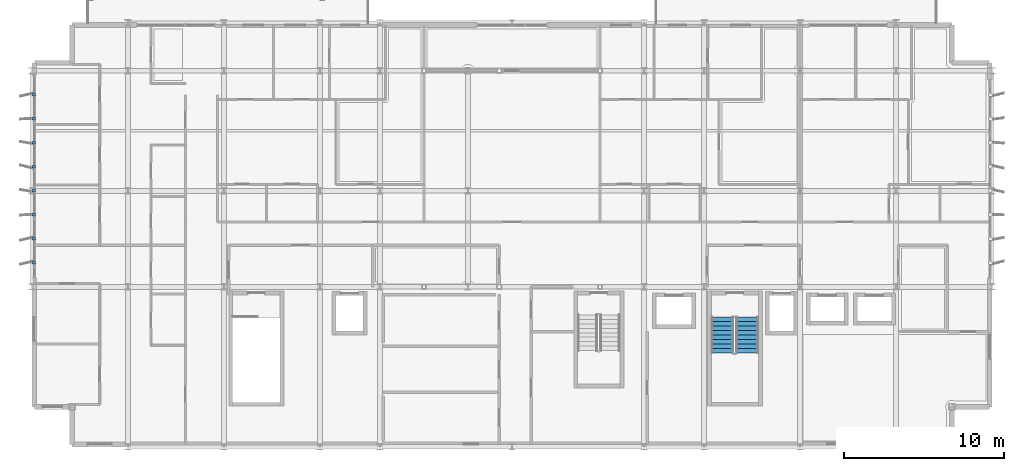
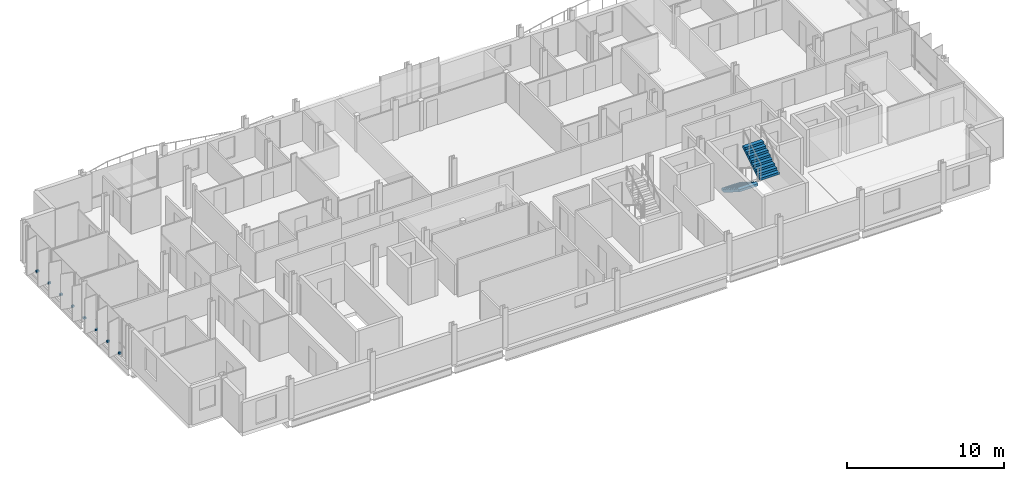
# One storey, part 31 of 35: 8 discrete accessories, 2 stair flights, 1 element without a shape of its own.
"""IFC4 building model written with IfcOpenShell, lengths in metres."""

import ifcopenshell
import ifcopenshell.guid

model = None  # the IFC model being written
_history = None  # IfcOwnerHistory: only IFC2X3 demands one
_inside = {}  # id of a spatial element -> (the spatial element, [elements in it])
_under = {}  # id of a project, library or spatial element -> (it, [spatial elements below it])
_declared = {}  # id of a project -> (the project, [libraries it declares])
_typed = {}  # id of a type object -> (the type object, [elements of that type])
_made_of = {}  # id of a material, layer set ... -> (it, [elements and type objects made of it])


def new_model(schema):
    """Start an empty IFC model of exactly this schema.

    Asked for "IFC4X3", IfcOpenShell would pick the latest addendum, in which some entities
    have other attributes; the version numbers below select the first issue.
    IFC2X3 requires an IfcOwnerHistory on every rooted entity: one is made here for all.
    """
    global model, _history
    if schema == "IFC4X3":
        model = ifcopenshell.file(schema_version=(4, 3, 0, 0))
    else:
        model = ifcopenshell.file(schema=schema)
    _inside.clear()
    _under.clear()
    _declared.clear()
    _typed.clear()
    _made_of.clear()
    _history = None
    if model.schema == "IFC2X3":
        org = make("IfcOrganization", Name="unknown")
        user = make(
            "IfcPersonAndOrganization",
            ThePerson=make("IfcPerson", FamilyName="unknown"),
            TheOrganization=org,
        )
        app = make(
            "IfcApplication",
            ApplicationDeveloper=org,
            Version="unknown",
            ApplicationFullName="unknown",
            ApplicationIdentifier="unknown",
        )
        _history = make(
            "IfcOwnerHistory",
            OwningUser=user,
            OwningApplication=app,
            ChangeAction="ADDED",
            CreationDate=0,
        )
    return model


def make(cls, **values):
    """One entity of the class cls with the attributes given. An attribute that is None is left unset."""
    return model.create_entity(
        cls, **{name: value for name, value in values.items() if value is not None}
    )


def rooted(cls, **values):
    """An entity with a GlobalId (a new one), such as an element, a storey or a relation."""
    return make(cls, GlobalId=ifcopenshell.guid.new(), OwnerHistory=_history, **values)


def si_unit(unit_type, name, prefix=None):
    """IfcSIUnit, for example si_unit("LENGTHUNIT", "METRE", prefix="MILLI")."""
    return make("IfcSIUnit", UnitType=unit_type, Prefix=prefix, Name=name)


def assignment(units):
    """IfcUnitAssignment: the units of a project."""
    return None if units is None else make("IfcUnitAssignment", Units=units)


def point(xyz):
    """IfcCartesianPoint."""
    return None if xyz is None else make("IfcCartesianPoint", Coordinates=xyz)


def direction(xyz):
    """IfcDirection."""
    return None if xyz is None else make("IfcDirection", DirectionRatios=xyz)


def frame(location, z_axis=None, x_axis=None):
    """IfcAxis2Placement3D, a coordinate frame: its origin and axes. An axis left out is left unset."""
    return make(
        "IfcAxis2Placement3D",
        Location=point(location),
        Axis=direction(z_axis),
        RefDirection=direction(x_axis),
    )


def frame_2d(location, x_axis=None):
    """IfcAxis2Placement2D, a coordinate frame in the plane: its origin and x axis."""
    return make(
        "IfcAxis2Placement2D", Location=point(location), RefDirection=direction(x_axis)
    )


def origin():
    """The frame at (0, 0, 0) with its axes left unset."""
    return frame((0.0, 0.0, 0.0))


def origin_2d():
    """The frame at (0, 0) in the plane with its x axis left unset."""
    return frame_2d((0.0, 0.0))


def place(relative_to, where):
    """IfcLocalPlacement: puts the frame where relative to a parent placement (None: the world)."""
    return make(
        "IfcLocalPlacement", PlacementRelTo=relative_to, RelativePlacement=where
    )


def context(
    kind, dimensions, precision=None, world=None, true_north=None, identifier=None
):
    """IfcGeometricRepresentationContext, for example the 3D "Model" context."""
    return make(
        "IfcGeometricRepresentationContext",
        ContextIdentifier=identifier,
        ContextType=kind,
        CoordinateSpaceDimension=dimensions,
        Precision=precision,
        WorldCoordinateSystem=world,
        TrueNorth=true_north,
    )


def subcontext(parent, identifier, kind, view, scale=None):
    """IfcGeometricRepresentationSubContext, for example "Body" below "Model"."""
    return make(
        "IfcGeometricRepresentationSubContext",
        ContextIdentifier=identifier,
        ContextType=kind,
        ParentContext=parent,
        TargetScale=scale,
        TargetView=view,
    )


def project(units=None, contexts=None):
    """IfcProject with its units and contexts."""
    return rooted(
        "IfcProject",
        Name="project",
        RepresentationContexts=contexts,
        UnitsInContext=assignment(units),
    )


def spatial(cls, under=None, at=None, **own):
    """A site, building, storey or space (cls), placed at a placement, below another one or the project."""
    s = rooted(cls, ObjectPlacement=at, **own)
    if under is not None:
        _under.setdefault(under.id(), (under, []))[1].append(s)
    return s


def polyline(points):
    """IfcPolyline through the points."""
    return make("IfcPolyline", Points=[point(p) for p in points])


def profile(cls, at=None, kind="AREA", **sizes):
    """A parametric profile (cls). Its sizes go by their IFC names, for example OverallWidth=200.0."""
    return make(cls, ProfileType=kind, Position=at, **sizes)


def rectangle(**sizes):
    """IfcRectangleProfileDef."""
    return profile("IfcRectangleProfileDef", **sizes)


def outline(outer, holes=None, kind="AREA"):
    """IfcArbitraryClosedProfileDef: a profile drawn as a closed curve; with holes, ...WithVoids."""
    if holes is None:
        return make("IfcArbitraryClosedProfileDef", ProfileType=kind, OuterCurve=outer)
    return make(
        "IfcArbitraryProfileDefWithVoids",
        ProfileType=kind,
        OuterCurve=outer,
        InnerCurves=holes,
    )


def extrude(swept, where, along, depth):
    """IfcExtrudedAreaSolid: the profile swept, set in the frame where, extruded along a direction by depth."""
    return make(
        "IfcExtrudedAreaSolid",
        SweptArea=swept,
        Position=where,
        ExtrudedDirection=direction(along),
        Depth=depth,
    )


def shape(context_of_items, identifier, shape_type, items):
    """IfcShapeRepresentation: the items that make up one representation, for example the "Body"."""
    return make(
        "IfcShapeRepresentation",
        ContextOfItems=context_of_items,
        RepresentationIdentifier=identifier,
        RepresentationType=shape_type,
        Items=items,
    )


def material(Name=None, Category=None):
    """IfcMaterial."""
    return make("IfcMaterial", Name=Name, Category=Category)


def layer(
    of_material, thickness, ventilated=None, Name=None, Category=None, Priority=None
):
    """IfcMaterialLayer: one layer of a wall or slab, of a material (None: an air gap)."""
    return make(
        "IfcMaterialLayer",
        Material=of_material,
        LayerThickness=thickness,
        IsVentilated=ventilated,
        Name=Name,
        Category=Category,
        Priority=Priority,
    )


def layer_set(layers, Name=None):
    """IfcMaterialLayerSet."""
    return make("IfcMaterialLayerSet", MaterialLayers=layers, LayerSetName=Name)


def made_of(thing, what):
    """Note that an element or type object is made of a material, layer set ...; save() writes the relation."""
    if what is not None:
        _made_of.setdefault(what.id(), (what, []))[1].append(thing)
    return thing


def type_object(cls, material=None, **own):
    """A type object (cls), such as IfcWallType, which elements share."""
    return made_of(rooted(cls, **own), material)


def element(
    cls,
    number,
    at=None,
    inside=None,
    cuts=None,
    type_object=None,
    material=None,
    context=None,
    identifier="Body",
    shape_type=None,
    held_by="IfcProductDefinitionShape",
    body=None,
    shapes=None,
    **own,
):
    """One element of the class cls, such as IfcWall. Its Tag is "e" and its number.

    at: its placement. inside: the storey or other place that contains it. cuts: it is an
    opening in that element (IfcRelVoidsElement). A single representation is given by context,
    identifier, shape_type and body (its items); several are given by shapes. held_by: the class
    of the entity that holds the representations. save() writes the other relations.
    """
    e = rooted(cls, Tag="e%d" % number, ObjectPlacement=at, **own)
    if body is not None:
        shapes = [shape(context, identifier, shape_type, body)]
    if shapes is not None:
        e.Representation = make(held_by, Representations=shapes)
    if inside is not None:
        _inside.setdefault(inside.id(), (inside, []))[1].append(e)
    if cuts is not None:
        rooted(
            "IfcRelVoidsElement", RelatingBuildingElement=cuts, RelatedOpeningElement=e
        )
    if type_object is not None:
        _typed.setdefault(type_object.id(), (type_object, []))[1].append(e)
    return made_of(e, material)


def aggregate(whole, parts):
    """IfcRelAggregates: a whole, such as a stair, and the parts it consists of."""
    return rooted("IfcRelAggregates", RelatingObject=whole, RelatedObjects=parts)


def save(model, path):
    """Write the relations noted so far, then the file.

    IfcRelAggregates (storeys below a building ...), IfcRelContainedInSpatialStructure (elements
    in a storey), IfcRelDefinesByType, IfcRelAssociatesMaterial and IfcRelDeclares: one each for
    every whole, place, type object, material and project.
    """
    for whole, parts in _under.values():
        aggregate(whole, parts)
    for where, things in _inside.values():
        rooted(
            "IfcRelContainedInSpatialStructure",
            RelatedElements=things,
            RelatingStructure=where,
        )
    for kind, things in _typed.values():
        rooted("IfcRelDefinesByType", RelatedObjects=things, RelatingType=kind)
    for what, things in _made_of.values():
        rooted("IfcRelAssociatesMaterial", RelatedObjects=things, RelatingMaterial=what)
    for by, libraries in _declared.values():
        rooted("IfcRelDeclares", RelatingContext=by, RelatedDefinitions=libraries)
    model.write(path)


model = new_model("IFC4")

# Units and contexts
model_context = context("Model", 3, precision=1e-05, world=origin(), true_north=direction((0.0, 1.0)))
body_context = subcontext(model_context, "Body", "Model", "MODEL_VIEW")
ifc_project = project(units=[si_unit("LENGTHUNIT", "METRE"), si_unit("AREAUNIT", "SQUARE_METRE"), si_unit("VOLUMEUNIT", "CUBIC_METRE"), si_unit("PLANEANGLEUNIT", "RADIAN"), si_unit("MASSUNIT", "GRAM", prefix="KILO")], contexts=[model_context])

# Site, building, storey
site_placement = place(None, origin())
site = spatial("IfcSite", under=ifc_project, at=site_placement, CompositionType="ELEMENT")
building_placement = place(site_placement, origin())
building = spatial("IfcBuilding", under=site, at=building_placement, Name="Brevholm Reach", CompositionType="ELEMENT")
storey_placement = place(building_placement, frame((0.0, 0.0, 218.0)))
storey = spatial("IfcBuildingStorey", under=building, at=storey_placement, Name="L66", CompositionType="ELEMENT", Elevation=218.0)

# Stair, stair flights
ifc_material_1 = material(Name="Precast Concrete C40/50", Category="concrete")
stair_type = type_object("IfcStairType", Name="STR-ESC-1400", PredefinedType="DOUBLE_RETURN_STAIR", material=ifc_material_1)
stair_placement = place(storey_placement, origin())
stair = element("IfcStair", 1, at=stair_placement, inside=storey, type_object=stair_type, Name="L66 ST-2", PredefinedType="DOUBLE_RETURN_STAIR")
ifc_material_2 = material(Name="Precast Concrete C40/50", Category="concrete")
ifc_layer = layer(ifc_material_2, 0.18505859375)
ifc_layer_set = layer_set([ifc_layer], Name="Precast Concrete C40/50")
stair_flight_type = type_object("IfcStairFlightType", Name="STF-PRC-185", PredefinedType="STRAIGHT", material=ifc_layer_set)
stair_flight_1_placement = place(storey_placement, frame((43.14990234375, 8.10009765625, 0.0), z_axis=(0.0, 0.0, 1.0), x_axis=(0.0, -1.0, 0.0)))
stair_flight_1 = element("IfcStairFlight", 2, at=stair_flight_1_placement, type_object=stair_flight_type, Name="ST-2 flight 1", NumberOfRisers=9, NumberOfTreads=8, PredefinedType="STRAIGHT", RiserHeight=0.172222222, TreadLength=0.28, context=body_context, shape_type="SweptSolid", body=[
    extrude(outline(polyline([(0.0, 0.0), (0.0, 0.172119140625), (0.280029296875, 0.172119140625), (0.280029296875, 0.344482421875), (0.56005859375, 0.344482421875), (0.56005859375, 0.5166015625), (0.840087890625, 0.5166015625), (0.840087890625, 0.68896484375), (1.1201171875, 0.68896484375), (1.1201171875, 0.861083984375), (1.39990234375, 0.861083984375), (1.39990234375, 1.033447265625), (1.679931640625, 1.033447265625), (1.679931640625, 1.20556640625), (1.9599609375, 1.20556640625), (1.9599609375, 1.377685546875), (2.239990234375, 1.377685546875), (2.239990234375, 1.550048828125), (2.239990234375, 1.201904296875), (0.2861328125, 0.0), (0.0, 0.0)])), frame((0.0, 0.699951171875, 0.0), z_axis=(0.0, -1.0, 0.0), x_axis=(1.0, 0.0, 0.0)), (0.0, 0.0, 1.0), 1.39990234375),
])
stair_flight_2_placement = place(storey_placement, frame((44.699951171875, 5.860107421875, 1.550048828125), z_axis=(0.0, 0.0, 1.0), x_axis=(0.0, 1.0, 0.0)))
stair_flight_2 = element("IfcStairFlight", 3, at=stair_flight_2_placement, type_object=stair_flight_type, Name="ST-2 flight 2", NumberOfRisers=9, NumberOfTreads=8, PredefinedType="STRAIGHT", RiserHeight=0.172222222, TreadLength=0.28, context=body_context, shape_type="SweptSolid", body=[
    extrude(outline(polyline([(0.0, 0.0), (0.0, 0.172119140625), (0.280029296875, 0.172119140625), (0.280029296875, 0.344482421875), (0.56005859375, 0.344482421875), (0.56005859375, 0.5166015625), (0.840087890625, 0.5166015625), (0.840087890625, 0.68896484375), (1.1201171875, 0.68896484375), (1.1201171875, 0.861083984375), (1.39990234375, 0.861083984375), (1.39990234375, 1.033447265625), (1.679931640625, 1.033447265625), (1.679931640625, 1.20556640625), (1.9599609375, 1.20556640625), (1.9599609375, 1.377685546875), (2.239990234375, 1.377685546875), (2.239990234375, 1.550048828125), (2.239990234375, 1.201904296875), (0.2861328125, 0.0), (0.0, 0.0)])), frame((0.0, 0.699951171875, 0.0), z_axis=(0.0, -1.0, 0.0), x_axis=(1.0, 0.0, 0.0)), (0.0, 0.0, 1.0), 1.39990234375),
])
aggregate(stair, [stair_flight_1, stair_flight_2])

# Discrete accessories
ifc_material_3 = material(Name="Duplex Stainless Steel EN 1.4462", Category="steel")
discrete_accessory_type = type_object("IfcDiscreteAccessoryType", Name="ACC-BRK-01", PredefinedType="BRACKET", material=ifc_material_3)
for number, where, z_axis, x_axis, name in (
    (4, (0.1201171875, 11.5, 0.0302734375), (0.0, 0.0, 1.0), (-1.0, 0.0, 0.0), "L66 Solar Screen Support Bracket 1"),
    (5, (0.1201171875, 13.0, 0.0302734375), (0.0, 0.0, 1.0), (-1.0, 0.0, 0.0), "L66 Solar Screen Support Bracket 2"),
    (6, (0.1201171875, 14.5, 0.0302734375), (0.0, 0.0, 1.0), (-1.0, 0.0, 0.0), "L66 Solar Screen Support Bracket 3"),
    (7, (0.1201171875, 16.0, 0.0302734375), (0.0, 0.0, 1.0), (-1.0, 0.0, 0.0), "L66 Solar Screen Support Bracket 4"),
    (8, (0.1201171875, 17.5, 0.0302734375), (0.0, 0.0, 1.0), (-1.0, 0.0, 0.0), "L66 Solar Screen Support Bracket 5"),
    (9, (0.1201171875, 19.0, 0.0302734375), (0.0, 0.0, 1.0), (-1.0, 0.0, 0.0), "L66 Solar Screen Support Bracket 6"),
    (10, (0.1201171875, 20.5, 0.0302734375), (0.0, 0.0, 1.0), (-1.0, 0.0, 0.0), "L66 Solar Screen Support Bracket 7"),
    (11, (0.1201171875, 22.0, 0.0302734375), (0.0, 0.0, 1.0), (-1.0, 0.0, 0.0), "L66 Solar Screen Support Bracket 8"),
):
    element("IfcDiscreteAccessory", number, at=place(storey_placement, frame(where, z_axis=z_axis, x_axis=x_axis)), inside=storey, type_object=discrete_accessory_type, Name=name, PredefinedType="BRACKET", context=body_context, shape_type="SweptSolid", body=[
        extrude(rectangle(XDim=0.199951171875, YDim=0.139892578125, at=origin_2d()), origin(), (0.0, 0.0, 1.0), 0.139892578125),
    ])

save(model, "model.ifc")
